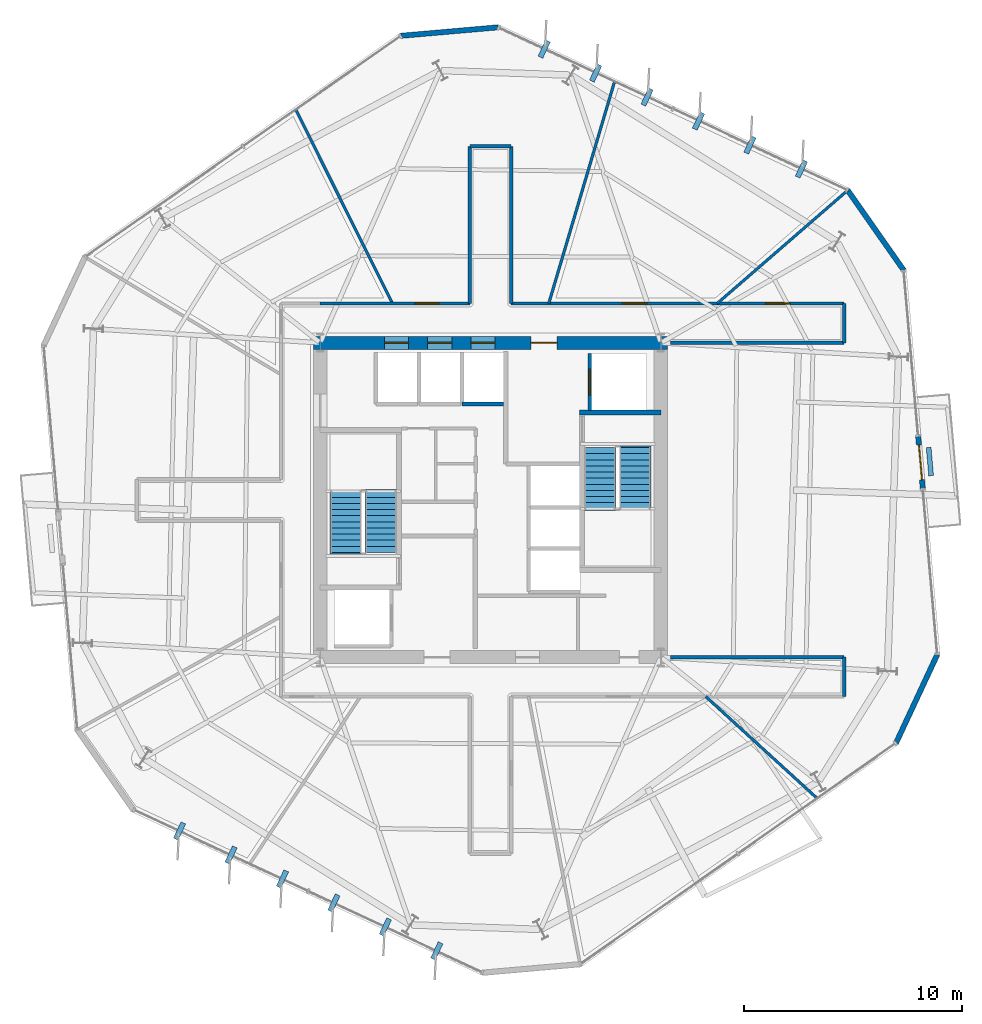
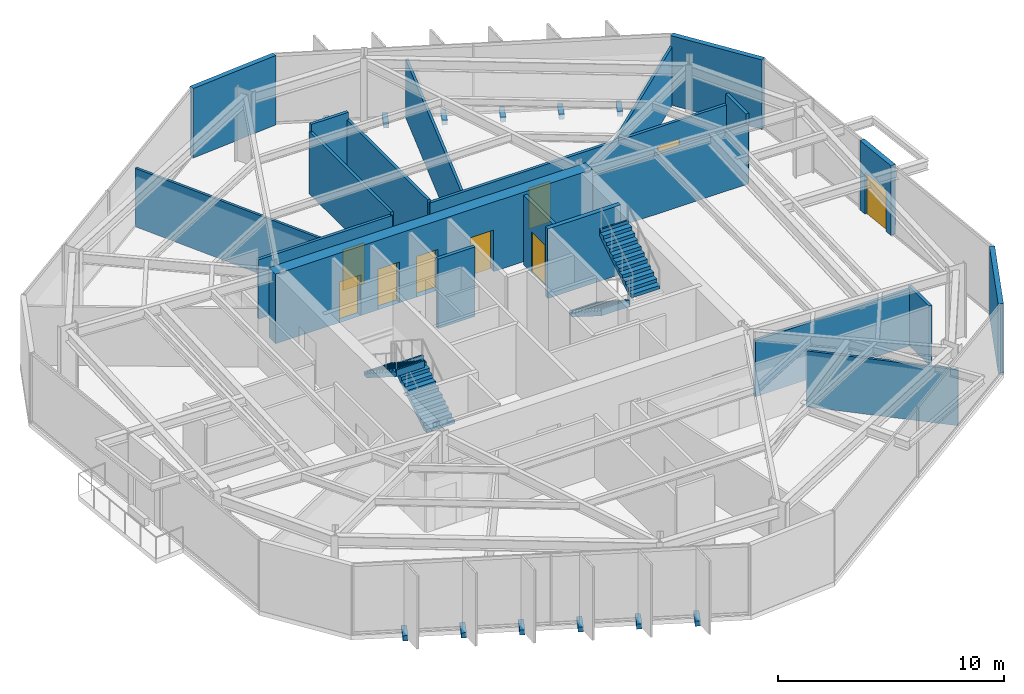
# One storey, part 8 of 13: 22 walls, 12 discrete accessories, 9 doors, 4 stair flights, 9 openings, 2 elements without a shape of their own.
"""IFC4 building model written with IfcOpenShell, lengths in metres."""

from ifc_helpers import new_model, si_unit, direction, frame, frame_2d, origin, origin_2d, place, context, subcontext, project, spatial, polyline, rectangle, outline, extrude, material, layer, layer_set, type_object, element, fill, aggregate, save


model = new_model("IFC4")

# Units and contexts
model_context = context("Model", 3, precision=1e-05, world=origin(), true_north=direction((0.0, 1.0)))
body_context = subcontext(model_context, "Body", "Model", "MODEL_VIEW")
ifc_project = project(units=[si_unit("LENGTHUNIT", "METRE"), si_unit("AREAUNIT", "SQUARE_METRE"), si_unit("VOLUMEUNIT", "CUBIC_METRE"), si_unit("PLANEANGLEUNIT", "RADIAN"), si_unit("MASSUNIT", "GRAM", prefix="KILO")], contexts=[model_context])

# Site, building, storey
site_placement = place(None, origin())
site = spatial("IfcSite", under=ifc_project, at=site_placement, CompositionType="ELEMENT")
building_placement = place(site_placement, origin())
building = spatial("IfcBuilding", under=site, at=building_placement, Name="Kranzbogen Civic Tower", CompositionType="ELEMENT")
storey_placement = place(building_placement, frame((0.0, 0.0, 162.39990234375)))
storey = spatial("IfcBuildingStorey", under=building, at=storey_placement, Name="L39", CompositionType="ELEMENT", Elevation=162.39990234375)

# Wall, opening, door
ifc_material_1 = material(Name="Double-Stud Acoustic Gypsum Partition")
ifc_layer_1 = layer(ifc_material_1, 0.14990234375, Name="Double-Stud Acoustic Gypsum Partition")
ifc_layer_set_1 = layer_set([ifc_layer_1], Name="Double-Stud Acoustic Gypsum Partition")
wall_type_1 = type_object("IfcWallType", Name="Acoustic Corridor and Clinical Partition 150 mm", PredefinedType="PARTITIONING", material=ifc_layer_set_1)
wall_1_placement = place(storey_placement, frame((17.199951171875, 34.0, 0.0), z_axis=(0.0, 0.0, 1.0), x_axis=(1.0, 0.0, 0.0)))
wall_1 = element("IfcWall", 1, at=wall_1_placement, inside=storey, type_object=wall_type_1, Name="L39 corridor partition 10", PredefinedType="PARTITIONING", context=body_context, shape_type="SweptSolid", body=[
    extrude(rectangle(XDim=6.85009765625, YDim=0.14990234375, at=frame_2d((3.425048828125, 0.0))), origin(), (0.0, 0.0, 1.0), 3.210205078125),
])
opening_1_placement = place(wall_1_placement, frame((4.330078125, 0.0, 0.0)))
opening_1 = element("IfcOpeningElement", 2, at=opening_1_placement, cuts=wall_1, Name="Opening D-COR60", PredefinedType="OPENING", context=body_context, shape_type="SweptSolid", body=[
    extrude(rectangle(XDim=1.10009765625, YDim=2.199951171875, at=frame_2d((0.550048828125, 1.10009765625))), frame((0.0, 0.0849609375, 0.0), z_axis=(0.0, -1.0, 0.0), x_axis=(1.0, 0.0, 0.0)), (0.0, 0.0, 1.0), 0.169921875),
])
ifc_material_2 = material(Name="Oak Timber and Fire Core", Category="wood")
door_type_1 = type_object("IfcDoorType", Name="Corridor Acoustic Fire Door 1100x2200", OperationType="NOTDEFINED", PredefinedType="DOOR", material=ifc_material_2)
door_1_placement = place(opening_1_placement, origin())
door_1 = element("IfcDoor", 3, at=door_1_placement, inside=storey, type_object=door_type_1, Name="L39 Licensing Information Kiosk door", OperationType="SINGLE_SWING_LEFT", OverallHeight=2.199951171875, OverallWidth=1.10009765625, PredefinedType="DOOR", context=body_context, shape_type="SweptSolid", body=[
    extrude(rectangle(XDim=1.10009765625, YDim=2.199951171875, at=frame_2d((0.550048828125, 1.10009765625))), frame((0.0, 0.02490234375, 0.0), z_axis=(0.0, -1.0, 0.0), x_axis=(1.0, 0.0, 0.0)), (0.0, 0.0, 1.0), 0.050048828125),
])
fill(opening_1, door_1)

# Walls
wall_2_placement = place(storey_placement, frame((24.050048828125, 34.0, 0.0), z_axis=(0.0, 0.0, 1.0), x_axis=(0.0, 1.0, 0.0)))
element("IfcWall", 4, at=wall_2_placement, inside=storey, type_object=wall_type_1, Name="L39 corridor partition 11", PredefinedType="PARTITIONING", context=body_context, shape_type="SweptSolid", body=[
    extrude(rectangle(XDim=7.199951171875, YDim=0.14990234375, at=frame_2d((3.60009765625, 0.0))), origin(), (0.0, 0.0, 1.0), 3.360107421875),
])
wall_3_placement = place(storey_placement, frame((24.050048828125, 41.199951171875, 0.0), z_axis=(0.0, 0.0, 1.0), x_axis=(1.0, 0.0, 0.0)))
element("IfcWall", 5, at=wall_3_placement, inside=storey, type_object=wall_type_1, Name="L39 corridor partition 12", PredefinedType="PARTITIONING", context=body_context, shape_type="SweptSolid", body=[
    extrude(rectangle(XDim=1.89990234375, YDim=0.14990234375, at=frame_2d((0.949951171875, 0.0))), origin(), (0.0, 0.0, 1.0), 3.760009765625),
])
wall_4_placement = place(storey_placement, frame((25.949951171875, 41.199951171875, 0.0), z_axis=(0.0, 0.0, 1.0), x_axis=(0.0, -1.0, 0.0)))
element("IfcWall", 6, at=wall_4_placement, inside=storey, type_object=wall_type_1, Name="L39 corridor partition 13", PredefinedType="PARTITIONING", context=body_context, shape_type="SweptSolid", body=[
    extrude(rectangle(XDim=7.199951171875, YDim=0.14990234375, at=frame_2d((3.60009765625, 0.0))), origin(), (0.0, 0.0, 1.0), 3.360107421875),
])

# Wall, openings, doors
wall_5_placement = place(storey_placement, frame((25.949951171875, 34.0, 0.0), z_axis=(0.0, 0.0, 1.0), x_axis=(1.0, 0.0, 0.0)))
wall_5 = element("IfcWall", 7, at=wall_5_placement, inside=storey, type_object=wall_type_1, Name="L39 corridor partition 14", PredefinedType="PARTITIONING", context=body_context, shape_type="SweptSolid", body=[
    extrude(rectangle(XDim=15.25, YDim=0.14990234375, at=frame_2d((7.625, 0.0))), origin(), (0.0, 0.0, 1.0), 3.210205078125),
])
opening_2_placement = place(wall_5_placement, frame((11.660888671875, 0.0, 0.0)))
opening_2 = element("IfcOpeningElement", 8, at=opening_2_placement, cuts=wall_5, Name="Opening D-COR60", PredefinedType="OPENING", context=body_context, shape_type="SweptSolid", body=[
    extrude(rectangle(XDim=1.10009765625, YDim=2.199951171875, at=frame_2d((0.550048828125, 1.10009765625))), frame((0.0, 0.0849609375, 0.0), z_axis=(0.0, -1.0, 0.0), x_axis=(1.0, 0.0, 0.0)), (0.0, 0.0, 1.0), 0.169921875),
])
opening_3_placement = place(wall_5_placement, frame((5.095947265625, 0.0, 0.0)))
opening_3 = element("IfcOpeningElement", 9, at=opening_3_placement, cuts=wall_5, Name="Opening D-COR60", PredefinedType="OPENING", context=body_context, shape_type="SweptSolid", body=[
    extrude(rectangle(XDim=1.10009765625, YDim=2.199951171875, at=frame_2d((0.550048828125, 1.10009765625))), frame((0.0, 0.0849609375, 0.0), z_axis=(0.0, -1.0, 0.0), x_axis=(1.0, 0.0, 0.0)), (0.0, 0.0, 1.0), 0.169921875),
])
door_2_placement = place(opening_2_placement, origin())
door_2 = element("IfcDoor", 10, at=door_2_placement, inside=storey, type_object=door_type_1, Name="L39 Citizen Services Kiosk door", OperationType="SINGLE_SWING_LEFT", OverallHeight=2.199951171875, OverallWidth=1.10009765625, PredefinedType="DOOR", context=body_context, shape_type="SweptSolid", body=[
    extrude(rectangle(XDim=1.10009765625, YDim=2.199951171875, at=frame_2d((0.550048828125, 1.10009765625))), frame((0.0, 0.02490234375, 0.0), z_axis=(0.0, -1.0, 0.0), x_axis=(1.0, 0.0, 0.0)), (0.0, 0.0, 1.0), 0.050048828125),
])
fill(opening_2, door_2)
door_3_placement = place(opening_3_placement, origin())
door_3 = element("IfcDoor", 11, at=door_3_placement, inside=storey, type_object=door_type_1, Name="L39 Municipal Exhibition Showroom door", OperationType="SINGLE_SWING_RIGHT", OverallHeight=2.199951171875, OverallWidth=1.10009765625, PredefinedType="DOOR", context=body_context, shape_type="SweptSolid", body=[
    extrude(rectangle(XDim=1.10009765625, YDim=2.199951171875, at=frame_2d((0.550048828125, 1.10009765625))), frame((0.0, 0.02490234375, 0.0), z_axis=(0.0, -1.0, 0.0), x_axis=(1.0, 0.0, 0.0)), (0.0, 0.0, 1.0), 0.050048828125),
])
fill(opening_3, door_3)

# Walls
wall_6_placement = place(storey_placement, frame((41.199951171875, 34.0, 0.0), z_axis=(0.0, 0.0, 1.0), x_axis=(0.0, -1.0, 0.0)))
element("IfcWall", 12, at=wall_6_placement, inside=storey, type_object=wall_type_1, Name="L39 corridor partition 15", PredefinedType="PARTITIONING", context=body_context, shape_type="SweptSolid", body=[
    extrude(rectangle(XDim=1.800048828125, YDim=0.14990234375, at=frame_2d((0.89990234375, 0.0))), origin(), (0.0, 0.0, 1.0), 3.760009765625),
])
wall_7_placement = place(storey_placement, frame((41.199951171875, 32.199951171875, 0.0), z_axis=(0.0, 0.0, 1.0), x_axis=(-1.0, 0.0, 0.0)))
element("IfcWall", 13, at=wall_7_placement, inside=storey, type_object=wall_type_1, Name="L39 corridor partition 16", PredefinedType="PARTITIONING", context=body_context, shape_type="SweptSolid", body=[
    extrude(rectangle(XDim=7.952880859375, YDim=0.14990234375, at=frame_2d((3.9765625, 0.0))), origin(), (0.0, 0.0, 1.0), 3.210205078125),
])
wall_8_placement = place(storey_placement, frame((33.2470703125, 17.800048828125, 0.0), z_axis=(0.0, 0.0, 1.0), x_axis=(1.0, 0.0, 0.0)))
element("IfcWall", 14, at=wall_8_placement, inside=storey, type_object=wall_type_1, Name="L39 corridor partition 17", PredefinedType="PARTITIONING", context=body_context, shape_type="SweptSolid", body=[
    extrude(rectangle(XDim=7.952880859375, YDim=0.14990234375, at=frame_2d((3.9765625, 0.0))), origin(), (0.0, 0.0, 1.0), 3.050048828125),
])
wall_9_placement = place(storey_placement, frame((41.199951171875, 17.800048828125, 0.0), z_axis=(0.0, 0.0, 1.0), x_axis=(0.0, -1.0, 0.0)))
element("IfcWall", 15, at=wall_9_placement, inside=storey, type_object=wall_type_1, Name="L39 corridor partition 18", PredefinedType="PARTITIONING", context=body_context, shape_type="SweptSolid", body=[
    extrude(rectangle(XDim=1.800048828125, YDim=0.14990234375, at=frame_2d((0.89990234375, 0.0))), origin(), (0.0, 0.0, 1.0), 3.210205078125),
])
ifc_material_3 = material(Name="Insulated Metal-Stud Gypsum Partition")
ifc_layer_2 = layer(ifc_material_3, 0.125, Name="Insulated Metal-Stud Gypsum Partition")
ifc_layer_set_2 = layer_set([ifc_layer_2], Name="Insulated Metal-Stud Gypsum Partition")
wall_type_2 = type_object("IfcWallType", Name="Acoustic Inter-Room Partition 125 mm", PredefinedType="PARTITIONING", material=ifc_layer_set_2)
wall_10_placement = place(storey_placement, frame((35.3798828125, 34.0, 0.0), z_axis=(0.0, 0.0, 1.0), x_axis=(0.755576888345, 0.655059971147, 0.0)))
element("IfcWall", 16, at=wall_10_placement, inside=storey, type_object=wall_type_2, Name="L39 radial room partition 01", PredefinedType="PARTITIONING", context=body_context, shape_type="SweptSolid", body=[
    extrude(rectangle(XDim=7.898681640625, YDim=0.125, at=frame_2d((3.94921875, 0.0))), origin(), (0.0, 0.0, 1.0), 3.16015625),
])
wall_11_placement = place(storey_placement, frame((27.66796875, 34.0, 0.0), z_axis=(0.0, 0.0, 1.0), x_axis=(0.284232016895, 0.95875552701, 0.0)))
element("IfcWall", 17, at=wall_11_placement, inside=storey, type_object=wall_type_2, Name="L39 radial room partition 02", PredefinedType="PARTITIONING", context=body_context, shape_type="SweptSolid", body=[
    extrude(rectangle(XDim=10.58642578125, YDim=0.125, at=frame_2d((5.293212890625, 0.0))), origin(), (0.0, 0.0, 1.0), 3.16015625),
])
wall_12_placement = place(storey_placement, frame((20.510009765625, 34.0, 0.0), z_axis=(0.0, 0.0, 1.0), x_axis=(-0.446366409245, 0.894850282839, 0.0)))
element("IfcWall", 18, at=wall_12_placement, inside=storey, type_object=wall_type_2, Name="L39 radial room partition 03", PredefinedType="PARTITIONING", context=body_context, shape_type="SweptSolid", body=[
    extrude(rectangle(XDim=9.915771484375, YDim=0.125, at=frame_2d((4.9580078125, 0.0))), origin(), (0.0, 0.0, 1.0), 3.16015625),
])
wall_13_placement = place(storey_placement, frame((34.85400390625, 16.0, 0.0), z_axis=(0.0, 0.0, 1.0), x_axis=(0.738368219991, -0.674397784477, 0.0)))
element("IfcWall", 19, at=wall_13_placement, inside=storey, type_object=wall_type_2, Name="L39 radial room partition 08", PredefinedType="PARTITIONING", context=body_context, shape_type="SweptSolid", body=[
    extrude(rectangle(XDim=6.896240234375, YDim=0.125, at=frame_2d((3.4482421875, 0.0))), origin(), (0.0, 0.0, 1.0), 3.02001953125),
])
ifc_material_4 = material(Name="Architectural Precast Terracotta Concrete C40/50", Category="masonry")
ifc_layer_3 = layer(ifc_material_4, 0.219970703125, Name="Architectural Precast Terracotta Concrete C40/50")
ifc_layer_set_3 = layer_set([ifc_layer_3], Name="Architectural Precast Terracotta Concrete C40/50")
wall_type_3 = type_object("IfcWallType", Name="Architectural Tree Planter Kerb Wall 220 mm", PredefinedType="USERDEFINED", material=ifc_layer_set_3)
wall_14_placement = place(storey_placement, frame((45.18505859375, 26.113037109375, 0.0), z_axis=(0.0, 0.0, 1.0), x_axis=(-0.087641862602, 0.996152048595, 0.0)))
element("IfcWall", 20, at=wall_14_placement, inside=storey, type_object=wall_type_3, Name="L39 landscaped tree balcony planter L39-TB1", ObjectType="PLANTER_WALL", PredefinedType="USERDEFINED", context=body_context, shape_type="SweptSolid", body=[
    extrude(rectangle(XDim=1.301025390625, YDim=0.219970703125, at=frame_2d((0.650390625, 0.0))), origin(), (0.0, 0.0, 1.0), 0.400146484375),
])

# Wall, openings, doors
ifc_material_5 = material(Name="Concrete C55/67", Category="concrete")
ifc_layer_4 = layer(ifc_material_5, 0.60009765625, Name="Concrete C55/67")
ifc_layer_set_4 = layer_set([ifc_layer_4], Name="Concrete C55/67")
wall_type_4 = type_object("IfcWallType", Name="Central Core Shear Wall 600 mm", PredefinedType="SHEAR", material=ifc_layer_set_4)
wall_15_placement = place(storey_placement, frame((33.10009765625, 32.199951171875, 0.0), z_axis=(0.0, 0.0, 1.0), x_axis=(-1.0, 0.0, 0.0)))
wall_15 = element("IfcWall", 21, at=wall_15_placement, inside=storey, type_object=wall_type_4, Name="L39 central core North shear wall", PredefinedType="SHEAR", context=body_context, shape_type="SweptSolid", body=[
    extrude(rectangle(XDim=16.2001953125, YDim=0.60009765625, at=frame_2d((8.10009765625, 0.0))), origin(), (0.0, 0.0, 1.0), 3.760009765625),
])
opening_4_placement = place(wall_15_placement, frame((5.050048828125, 0.0, 0.0)))
opening_4 = element("IfcOpeningElement", 22, at=opening_4_placement, cuts=wall_15, Name="Opening D-EX120", PredefinedType="OPENING", context=body_context, shape_type="SweptSolid", body=[
    extrude(rectangle(XDim=1.199951171875, YDim=2.25, at=frame_2d((0.60009765625, 1.125))), frame((0.0, 0.31005859375, 0.0), z_axis=(0.0, -1.0, 0.0), x_axis=(1.0, 0.0, 0.0)), (0.0, 0.0, 1.0), 0.6201171875),
])
opening_5_placement = place(wall_15_placement, frame((11.85009765625, 0.0, 0.0)))
opening_5 = element("IfcOpeningElement", 23, at=opening_5_placement, cuts=wall_15, Name="Opening LD-MP-01", PredefinedType="OPENING", context=body_context, shape_type="SweptSolid", body=[
    extrude(rectangle(XDim=1.10009765625, YDim=2.199951171875, at=frame_2d((0.550048828125, 1.10009765625))), frame((0.0, 0.31005859375, 0.0), z_axis=(0.0, -1.0, 0.0), x_axis=(1.0, 0.0, 0.0)), (0.0, 0.0, 1.0), 0.6201171875),
])
opening_6_placement = place(wall_15_placement, frame((9.875, 0.0, 0.0)))
opening_6 = element("IfcOpeningElement", 24, at=opening_6_placement, cuts=wall_15, Name="Opening LD-MP-02", PredefinedType="OPENING", context=body_context, shape_type="SweptSolid", body=[
    extrude(rectangle(XDim=1.10009765625, YDim=2.199951171875, at=frame_2d((0.550048828125, 1.10009765625))), frame((0.0, 0.31005859375, 0.0), z_axis=(0.0, -1.0, 0.0), x_axis=(1.0, 0.0, 0.0)), (0.0, 0.0, 1.0), 0.6201171875),
])
opening_7_placement = place(wall_15_placement, frame((7.89990234375, 0.0, 0.0)))
opening_7 = element("IfcOpeningElement", 25, at=opening_7_placement, cuts=wall_15, Name="Opening LD-MP-03", PredefinedType="OPENING", context=body_context, shape_type="SweptSolid", body=[
    extrude(rectangle(XDim=1.10009765625, YDim=2.199951171875, at=frame_2d((0.550048828125, 1.10009765625))), frame((0.0, 0.31005859375, 0.0), z_axis=(0.0, -1.0, 0.0), x_axis=(1.0, 0.0, 0.0)), (0.0, 0.0, 1.0), 0.6201171875),
])
ifc_material_6 = material(Name="Steel S355", Category="steel")
door_type_2 = type_object("IfcDoorType", Name="Exit Passageway Fire Door 1200x2250", OperationType="NOTDEFINED", PredefinedType="DOOR", material=ifc_material_6)
door_4_placement = place(opening_4_placement, origin())
door_4 = element("IfcDoor", 26, at=door_4_placement, inside=storey, type_object=door_type_2, Name="L39 East firefighting lobby corridor door", OperationType="SINGLE_SWING_LEFT", OverallHeight=2.25, OverallWidth=1.199951171875, PredefinedType="DOOR", context=body_context, shape_type="SweptSolid", body=[
    extrude(rectangle(XDim=1.199951171875, YDim=2.25, at=frame_2d((0.60009765625, 1.125))), frame((0.0, 0.02490234375, 0.0), z_axis=(0.0, -1.0, 0.0), x_axis=(1.0, 0.0, 0.0)), (0.0, 0.0, 1.0), 0.050048828125),
])
fill(opening_4, door_4)
ifc_material_7 = material(Name="Pale Anodised Aluminium", Category="aluminium")
door_type_3 = type_object("IfcDoorType", Name="Passenger Lift Sliding Landing Door 1100x2200", OperationType="DOUBLE_DOOR_SLIDING", PredefinedType="DOOR", material=ifc_material_7)
door_5_placement = place(opening_5_placement, origin())
door_5 = element("IfcDoor", 27, at=door_5_placement, inside=storey, type_object=door_type_3, Name="L39 lift MP-01 sliding landing door", OperationType="DOUBLE_DOOR_SLIDING", OverallHeight=2.199951171875, OverallWidth=1.10009765625, PredefinedType="DOOR", context=body_context, shape_type="SweptSolid", body=[
    extrude(rectangle(XDim=1.10009765625, YDim=2.199951171875, at=frame_2d((0.550048828125, 1.10009765625))), frame((0.0, 0.02490234375, 0.0), z_axis=(0.0, -1.0, 0.0), x_axis=(1.0, 0.0, 0.0)), (0.0, 0.0, 1.0), 0.050048828125),
])
fill(opening_5, door_5)
door_6_placement = place(opening_6_placement, origin())
door_6 = element("IfcDoor", 28, at=door_6_placement, inside=storey, type_object=door_type_3, Name="L39 lift MP-02 sliding landing door", OperationType="DOUBLE_DOOR_SLIDING", OverallHeight=2.199951171875, OverallWidth=1.10009765625, PredefinedType="DOOR", context=body_context, shape_type="SweptSolid", body=[
    extrude(rectangle(XDim=1.10009765625, YDim=2.199951171875, at=frame_2d((0.550048828125, 1.10009765625))), frame((0.0, 0.02490234375, 0.0), z_axis=(0.0, -1.0, 0.0), x_axis=(1.0, 0.0, 0.0)), (0.0, 0.0, 1.0), 0.050048828125),
])
fill(opening_6, door_6)
door_7_placement = place(opening_7_placement, origin())
door_7 = element("IfcDoor", 29, at=door_7_placement, inside=storey, type_object=door_type_3, Name="L39 lift MP-03 sliding landing door", OperationType="DOUBLE_DOOR_SLIDING", OverallHeight=2.199951171875, OverallWidth=1.10009765625, PredefinedType="DOOR", context=body_context, shape_type="SweptSolid", body=[
    extrude(rectangle(XDim=1.10009765625, YDim=2.199951171875, at=frame_2d((0.550048828125, 1.10009765625))), frame((0.0, 0.02490234375, 0.0), z_axis=(0.0, -1.0, 0.0), x_axis=(1.0, 0.0, 0.0)), (0.0, 0.0, 1.0), 0.050048828125),
])
fill(opening_7, door_7)

# Walls
ifc_material_8 = material(Name="Concrete C45/55", Category="concrete")
ifc_layer_5 = layer(ifc_material_8, 0.219970703125, Name="Concrete C45/55")
ifc_layer_set_5 = layer_set([ifc_layer_5], Name="Concrete C45/55")
wall_type_5 = type_object("IfcWallType", Name="Core Internal Stair Structural Wall 220 mm", PredefinedType="SOLIDWALL", material=ifc_layer_set_5)
wall_16_placement = place(storey_placement, frame((29.080078125, 29.010009765625, 0.0), z_axis=(0.0, 0.0, 1.0), x_axis=(1.0, 0.0, 0.0)))
element("IfcWall", 30, at=wall_16_placement, inside=storey, type_object=wall_type_5, Name="L39 ST-T2 North structural stair wall", PredefinedType="SOLIDWALL", context=body_context, shape_type="SweptSolid", body=[
    extrude(rectangle(XDim=3.719970703125, YDim=0.219970703125, at=frame_2d((1.85986328125, 0.0))), origin(), (0.0, 0.0, 1.0), 3.760009765625),
])
ifc_material_9 = material(Name="Gypsum Fireboard Shaftliner")
ifc_layer_6 = layer(ifc_material_9, 0.175048828125, Name="Gypsum Fireboard Shaftliner")
ifc_layer_set_6 = layer_set([ifc_layer_6], Name="Gypsum Fireboard Shaftliner")
wall_type_6 = type_object("IfcWallType", Name="Fire-Rated Lift and Service Shaft Wall 175 mm", PredefinedType="PARTITIONING", material=ifc_layer_set_6)
wall_17_placement = place(storey_placement, frame((23.699951171875, 29.39990234375, 0.0), z_axis=(0.0, 0.0, 1.0), x_axis=(1.0, 0.0, 0.0)))
element("IfcWall", 31, at=wall_17_placement, inside=storey, type_object=wall_type_6, Name="L39 lift MP-03 rear wall", PredefinedType="PARTITIONING", context=body_context, shape_type="SweptSolid", body=[
    extrude(rectangle(XDim=1.900146484375, YDim=0.175048828125, at=frame_2d((0.9501953125, 0.0))), origin(), (0.0, 0.0, 1.0), 3.760009765625),
])

# Wall, opening, door
wall_18_placement = place(storey_placement, frame((29.550048828125, 29.10009765625, 0.0), z_axis=(0.0, 0.0, 1.0), x_axis=(0.0, 1.0, 0.0)))
wall_18 = element("IfcWall", 32, at=wall_18_placement, inside=storey, type_object=wall_type_6, Name="L39 lift FF-02 landing wall", PredefinedType="PARTITIONING", context=body_context, shape_type="SweptSolid", body=[
    extrude(rectangle(XDim=2.599853515625, YDim=0.175048828125, at=frame_2d((1.2998046875, 0.0))), origin(), (0.0, 0.0, 1.0), 3.760009765625),
])
opening_8_placement = place(wall_18_placement, frame((0.699951171875, 0.0, 0.0)))
opening_8 = element("IfcOpeningElement", 33, at=opening_8_placement, cuts=wall_18, Name="Opening LD-FF-02", PredefinedType="OPENING", context=body_context, shape_type="SweptSolid", body=[
    extrude(rectangle(XDim=1.199951171875, YDim=2.199951171875, at=frame_2d((0.60009765625, 1.10009765625))), frame((0.0, 0.09765625, 0.0), z_axis=(0.0, -1.0, 0.0), x_axis=(1.0, 0.0, 0.0)), (0.0, 0.0, 1.0), 0.195068359375),
])
door_type_4 = type_object("IfcDoorType", Name="Firefighting and Stretcher Lift Sliding Landing Door 1200x2200", OperationType="DOUBLE_DOOR_SLIDING", PredefinedType="DOOR", material=ifc_material_7)
door_8_placement = place(opening_8_placement, origin())
door_8 = element("IfcDoor", 34, at=door_8_placement, inside=storey, type_object=door_type_4, Name="L39 lift FF-02 sliding landing door", OperationType="DOUBLE_DOOR_SLIDING", OverallHeight=2.199951171875, OverallWidth=1.199951171875, PredefinedType="DOOR", context=body_context, shape_type="SweptSolid", body=[
    extrude(rectangle(XDim=1.199951171875, YDim=2.199951171875, at=frame_2d((0.60009765625, 1.10009765625))), frame((0.0, 0.02490234375, 0.0), z_axis=(0.0, -1.0, 0.0), x_axis=(1.0, 0.0, 0.0)), (0.0, 0.0, 1.0), 0.050048828125),
])
fill(opening_8, door_8)

# Walls
ifc_layer_7 = layer(ifc_material_7, 0.239990234375, Name="Pale Anodised Aluminium")
ifc_layer_set_7 = layer_set([ifc_layer_7], Name="Pale Anodised Aluminium")
wall_type_7 = type_object("IfcWallType", Name="Insulated Aluminium Facade Portal Wall 240 mm", PredefinedType="STANDARD", material=ifc_layer_set_7)
for number, where, z_axis, x_axis, name in (
    (35, (25.35009765625, 46.653076171875, 0.0), (0.0, 0.0, 1.0), (-0.996204852099, -0.087039603938, 0.0), "L39 chamfered corner facade spandrel 1"),
    (36, (43.576904296875, 13.87109375, 0.0), (0.0, 0.0, 1.0), (0.422738987368, 0.906251481962, 0.0), "L39 chamfered corner facade spandrel 5"),
):
    element("IfcWall", number, at=place(storey_placement, frame(where, z_axis=z_axis, x_axis=x_axis)), inside=storey, type_object=wall_type_7, Name=name, PredefinedType="STANDARD", context=body_context, shape_type="SweptSolid", body=[
        extrude(rectangle(XDim=4.47119140625, YDim=0.239990234375, at=frame_2d((2.235595703125, 0.0))), origin(), (0.0, 0.0, 1.0), 3.760009765625),
    ])

# Wall, opening, door
wall_19_placement = place(storey_placement, frame((44.802001953125, 25.527099609375, 0.0), z_axis=(0.0, 0.0, 1.0), x_axis=(-0.087481150874, 0.996166175014, 0.0)))
wall_19 = element("IfcWall", 37, at=wall_19_placement, inside=storey, type_object=wall_type_7, Name="L39 exterior entrance portal wall 1", PredefinedType="STANDARD", context=body_context, shape_type="SweptSolid", body=[
    extrude(rectangle(XDim=2.400146484375, YDim=0.239990234375, at=frame_2d((1.2001953125, 0.0))), origin(), (0.0, 0.0, 1.0), 3.760009765625),
])
opening_9_placement = place(wall_19_placement, frame((0.39990234375, 0.0, 0.0)))
opening_9 = element("IfcOpeningElement", 38, at=opening_9_placement, cuts=wall_19, Name="Opening D-TER", PredefinedType="OPENING", context=body_context, shape_type="SweptSolid", body=[
    extrude(rectangle(XDim=1.60009765625, YDim=2.25, at=frame_2d((0.800048828125, 1.125))), frame((0.0, 0.1298828125, 0.0), z_axis=(0.0, -1.0, 0.0), x_axis=(1.0, 0.0, 0.0)), (0.0, 0.0, 1.0), 0.260009765625),
])
ifc_material_10 = material(Name="Anodised Bronze and Triple Glass", Category="glass")
door_type_5 = type_object("IfcDoorType", Name="Glazed Terrace and Balcony Double Door 1600x2250", OperationType="DOUBLE_DOOR_SINGLE_SWING", PredefinedType="DOOR", material=ifc_material_10)
door_9_placement = place(opening_9_placement, frame((1.60009765625, 0.0, 0.0), z_axis=(0.0, 0.0, 1.0), x_axis=(-1.0, 0.0, 0.0)))
door_9 = element("IfcDoor", 39, at=door_9_placement, inside=storey, type_object=door_type_5, Name="L39 tree balcony access door L39-TB1", OperationType="DOUBLE_DOOR_SINGLE_SWING", OverallHeight=2.25, OverallWidth=1.60009765625, PredefinedType="DOOR", context=body_context, shape_type="SweptSolid", body=[
    extrude(rectangle(XDim=1.60009765625, YDim=2.25, at=frame_2d((0.800048828125, 1.125))), frame((0.0, 0.02490234375, 0.0), z_axis=(0.0, -1.0, 0.0), x_axis=(1.0, 0.0, 0.0)), (0.0, 0.0, 1.0), 0.050048828125),
])
fill(opening_9, door_9)

# Wall
wall_20_placement = place(storey_placement, frame((43.927001953125, 35.52392578125, 0.0), z_axis=(0.0, 0.0, 1.0), x_axis=(-0.57368221041, 0.819077970317, 0.0)))
element("IfcWall", 40, at=wall_20_placement, inside=storey, type_object=wall_type_7, Name="L39 chamfered corner facade spandrel 6", PredefinedType="STANDARD", context=body_context, shape_type="SweptSolid", body=[
    extrude(rectangle(XDim=4.470947265625, YDim=0.239990234375, at=frame_2d((2.2353515625, 0.0))), origin(), (0.0, 0.0, 1.0), 3.760009765625),
])

# Stair, stair flights
ifc_material_11 = material(Name="Precast concrete C40/50", Category="concrete")
stair_type_1 = type_object("IfcStairType", Name="Tower Core Pressurized Dogleg Stair 1450", PredefinedType="HALF_TURN_STAIR", material=ifc_material_11)
stair_1_placement = place(storey_placement, origin())
stair_1 = element("IfcStair", 41, at=stair_1_placement, inside=storey, type_object=stair_type_1, Name="L39 Tower Core Pressurized Stair 1", PredefinedType="HALF_TURN_STAIR")
stair_flight_type = type_object("IfcStairFlightType", Name="Precast Concrete Stair Flight R180", PredefinedType="STRAIGHT", material=ifc_material_11)
stair_flight_1_placement = place(storey_placement, frame((19.97509765625, 22.60009765625, 0.0), z_axis=(0.0, 0.0, 1.0), x_axis=(0.0, 1.0, 0.0)))
stair_flight_1 = element("IfcStairFlight", 42, at=stair_flight_1_placement, type_object=stair_flight_type, Name="ST-T1 flight 1", NumberOfRisers=11, NumberOfTreads=10, PredefinedType="STRAIGHT", RiserHeight=0.181818182, TreadLength=0.28, context=body_context, shape_type="SweptSolid", body=[
    extrude(outline(polyline([(0.0, 0.0), (0.0, 0.181884765625), (0.280029296875, 0.181884765625), (0.280029296875, 0.363525390625), (0.56005859375, 0.363525390625), (0.56005859375, 0.54541015625), (0.840087890625, 0.54541015625), (0.840087890625, 0.727294921875), (1.1201171875, 0.727294921875), (1.1201171875, 0.9091796875), (1.39990234375, 0.9091796875), (1.39990234375, 1.0908203125), (1.679931640625, 1.0908203125), (1.679931640625, 1.272705078125), (1.9599609375, 1.272705078125), (1.9599609375, 1.45458984375), (2.239990234375, 1.45458984375), (2.239990234375, 1.636474609375), (2.52001953125, 1.636474609375), (2.52001953125, 1.818115234375), (2.800048828125, 1.818115234375), (2.800048828125, 2.0), (2.880126953125, 2.0), (2.880126953125, 1.639404296875), (0.275146484375, 0.0), (0.0, 0.0)])), frame((0.0, 0.72509765625, 0.0), z_axis=(0.0, -1.0, 0.0), x_axis=(1.0, 0.0, 0.0)), (0.0, 0.0, 1.0), 1.449951171875),
])
stair_flight_2_placement = place(storey_placement, frame((18.375, 25.39990234375, 2.0), z_axis=(0.0, 0.0, 1.0), x_axis=(0.0, -1.0, 0.0)))
stair_flight_2 = element("IfcStairFlight", 43, at=stair_flight_2_placement, type_object=stair_flight_type, Name="ST-T1 flight 2", NumberOfRisers=11, NumberOfTreads=10, PredefinedType="STRAIGHT", RiserHeight=0.181818182, TreadLength=0.28, context=body_context, shape_type="SweptSolid", body=[
    extrude(outline(polyline([(0.0, 0.0), (0.0, 0.181884765625), (0.280029296875, 0.181884765625), (0.280029296875, 0.363525390625), (0.56005859375, 0.363525390625), (0.56005859375, 0.54541015625), (0.840087890625, 0.54541015625), (0.840087890625, 0.727294921875), (1.1201171875, 0.727294921875), (1.1201171875, 0.9091796875), (1.39990234375, 0.9091796875), (1.39990234375, 1.0908203125), (1.679931640625, 1.0908203125), (1.679931640625, 1.272705078125), (1.9599609375, 1.272705078125), (1.9599609375, 1.45458984375), (2.239990234375, 1.45458984375), (2.239990234375, 1.636474609375), (2.52001953125, 1.636474609375), (2.52001953125, 1.818115234375), (2.800048828125, 1.818115234375), (2.800048828125, 2.0), (2.880126953125, 2.0), (2.880126953125, 1.639404296875), (0.275146484375, 0.0), (0.0, 0.0)])), frame((0.0, 0.72509765625, 0.0), z_axis=(0.0, -1.0, 0.0), x_axis=(1.0, 0.0, 0.0)), (0.0, 0.0, 1.0), 1.449951171875),
])
aggregate(stair_1, [stair_flight_1, stair_flight_2])

stair_type_2 = type_object("IfcStairType", Name="Tower Core Secondary Dogleg Stair 1450", PredefinedType="HALF_TURN_STAIR", material=ifc_material_11)
stair_2_placement = place(storey_placement, origin())
stair_2 = element("IfcStair", 44, at=stair_2_placement, inside=storey, type_object=stair_type_2, Name="L39 Tower Core Pressurized Stair 2", PredefinedType="HALF_TURN_STAIR")
stair_flight_3_placement = place(storey_placement, frame((30.02490234375, 27.39990234375, 0.0), z_axis=(0.0, 0.0, 1.0), x_axis=(0.0, -1.0, 0.0)))
stair_flight_3 = element("IfcStairFlight", 45, at=stair_flight_3_placement, type_object=stair_flight_type, Name="ST-T2 flight 1", NumberOfRisers=11, NumberOfTreads=10, PredefinedType="STRAIGHT", RiserHeight=0.181818182, TreadLength=0.28, context=body_context, shape_type="SweptSolid", body=[
    extrude(outline(polyline([(0.0, 0.0), (0.0, 0.181884765625), (0.280029296875, 0.181884765625), (0.280029296875, 0.363525390625), (0.56005859375, 0.363525390625), (0.56005859375, 0.54541015625), (0.840087890625, 0.54541015625), (0.840087890625, 0.727294921875), (1.1201171875, 0.727294921875), (1.1201171875, 0.9091796875), (1.39990234375, 0.9091796875), (1.39990234375, 1.0908203125), (1.679931640625, 1.0908203125), (1.679931640625, 1.272705078125), (1.9599609375, 1.272705078125), (1.9599609375, 1.45458984375), (2.239990234375, 1.45458984375), (2.239990234375, 1.636474609375), (2.52001953125, 1.636474609375), (2.52001953125, 1.818115234375), (2.800048828125, 1.818115234375), (2.800048828125, 2.0), (2.880126953125, 2.0), (2.880126953125, 1.639404296875), (0.275146484375, 0.0), (0.0, 0.0)])), frame((0.0, 0.72509765625, 0.0), z_axis=(0.0, -1.0, 0.0), x_axis=(1.0, 0.0, 0.0)), (0.0, 0.0, 1.0), 1.449951171875),
])
stair_flight_4_placement = place(storey_placement, frame((31.625, 24.60009765625, 2.0), z_axis=(0.0, 0.0, 1.0), x_axis=(0.0, 1.0, 0.0)))
stair_flight_4 = element("IfcStairFlight", 46, at=stair_flight_4_placement, type_object=stair_flight_type, Name="ST-T2 flight 2", NumberOfRisers=11, NumberOfTreads=10, PredefinedType="STRAIGHT", RiserHeight=0.181818182, TreadLength=0.28, context=body_context, shape_type="SweptSolid", body=[
    extrude(outline(polyline([(0.0, 0.0), (0.0, 0.181884765625), (0.280029296875, 0.181884765625), (0.280029296875, 0.363525390625), (0.56005859375, 0.363525390625), (0.56005859375, 0.54541015625), (0.840087890625, 0.54541015625), (0.840087890625, 0.727294921875), (1.1201171875, 0.727294921875), (1.1201171875, 0.9091796875), (1.39990234375, 0.9091796875), (1.39990234375, 1.0908203125), (1.679931640625, 1.0908203125), (1.679931640625, 1.272705078125), (1.9599609375, 1.272705078125), (1.9599609375, 1.45458984375), (2.239990234375, 1.45458984375), (2.239990234375, 1.636474609375), (2.52001953125, 1.636474609375), (2.52001953125, 1.818115234375), (2.800048828125, 1.818115234375), (2.800048828125, 2.0), (2.880126953125, 2.0), (2.880126953125, 1.639404296875), (0.275146484375, 0.0), (0.0, 0.0)])), frame((0.0, 0.72509765625, 0.0), z_axis=(0.0, -1.0, 0.0), x_axis=(1.0, 0.0, 0.0)), (0.0, 0.0, 1.0), 1.449951171875),
])
aggregate(stair_2, [stair_flight_3, stair_flight_4])

# Discrete accessories
discrete_accessory_type = type_object("IfcDiscreteAccessoryType", Name="Structural Curtain-Wall Fin Support Bracket", PredefinedType="BRACKET", material=ifc_material_6)
for number, where, z_axis, x_axis, name in (
    (47, (39.241943359375, 40.162109375, -0.25), (0.0, 0.0, 1.0), (0.422618261741, 0.906307787037, 0.0), "L39 facade fin support bracket F1-1"),
    (48, (36.885009765625, 41.260009765625, -0.25), (0.0, 0.0, 1.0), (0.422618261741, 0.906307787037, 0.0), "L39 facade fin support bracket F1-2"),
    (49, (34.529052734375, 42.35888671875, -0.25), (0.0, 0.0, 1.0), (0.422618261741, 0.906307787037, 0.0), "L39 facade fin support bracket F1-3"),
    (50, (32.173095703125, 43.4580078125, -0.25), (0.0, 0.0, 1.0), (0.422618261741, 0.906307787037, 0.0), "L39 facade fin support bracket F1-4"),
    (51, (29.81591796875, 44.556884765625, -0.25), (0.0, 0.0, 1.0), (0.422618261741, 0.906307787037, 0.0), "L39 facade fin support bracket F1-5"),
    (52, (27.4599609375, 45.656005859375, -0.25), (0.0, 0.0, 1.0), (0.422618261741, 0.906307787037, 0.0), "L39 facade fin support bracket F1-6"),
    (53, (10.758056640625, 9.837890625, -0.25), (0.0, 0.0, 1.0), (-0.422618261741, -0.906307787037, 0.0), "L39 facade fin support bracket F4-1"),
    (54, (13.114990234375, 8.739990234375, -0.25), (0.0, 0.0, 1.0), (-0.422618261741, -0.906307787037, 0.0), "L39 facade fin support bracket F4-2"),
    (55, (15.470947265625, 7.64111328125, -0.25), (0.0, 0.0, 1.0), (-0.422618261741, -0.906307787037, 0.0), "L39 facade fin support bracket F4-3"),
    (56, (17.826904296875, 6.5419921875, -0.25), (0.0, 0.0, 1.0), (-0.422618261741, -0.906307787037, 0.0), "L39 facade fin support bracket F4-4"),
    (57, (20.18408203125, 5.443115234375, -0.25), (0.0, 0.0, 1.0), (-0.422618261741, -0.906307787037, 0.0), "L39 facade fin support bracket F4-5"),
    (58, (22.5400390625, 4.343994140625, -0.25), (0.0, 0.0, 1.0), (-0.422618261741, -0.906307787037, 0.0), "L39 facade fin support bracket F4-6"),
):
    element("IfcDiscreteAccessory", number, at=place(storey_placement, frame(where, z_axis=z_axis, x_axis=x_axis)), inside=storey, type_object=discrete_accessory_type, Name=name, PredefinedType="BRACKET", context=body_context, shape_type="SweptSolid", body=[
        extrude(rectangle(XDim=0.820068359375, YDim=0.239990234375, at=origin_2d()), origin(), (0.0, 0.0, 1.0), 0.280029296875),
    ])

save(model, "model.ifc")
